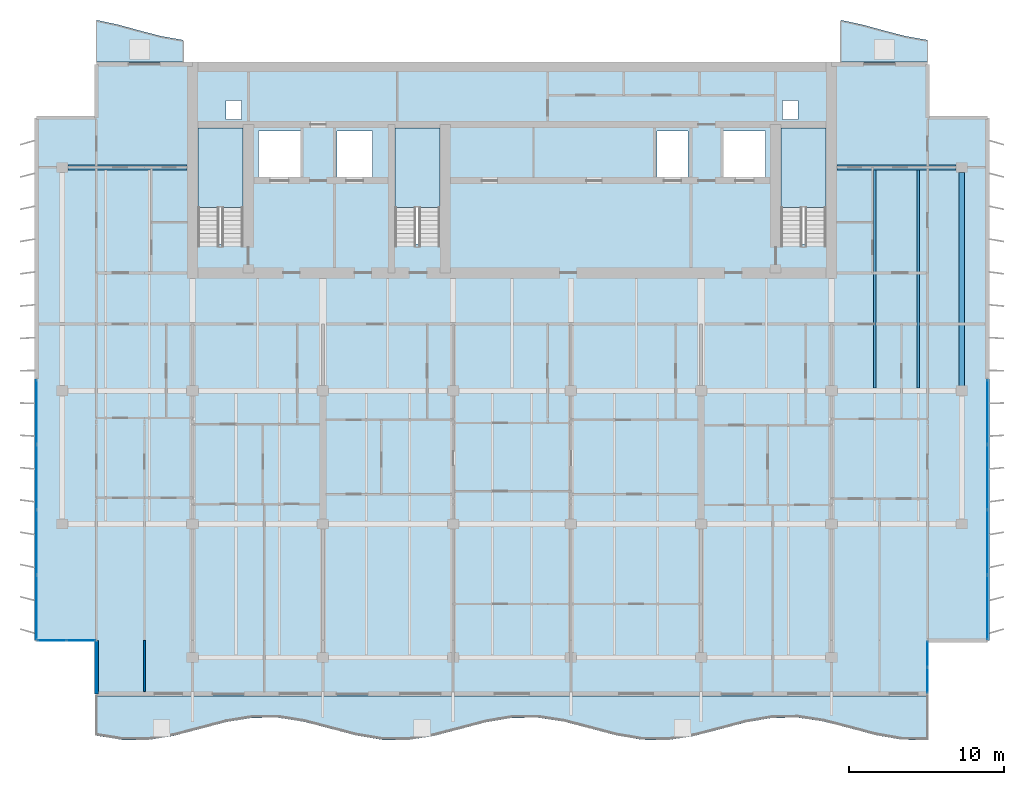
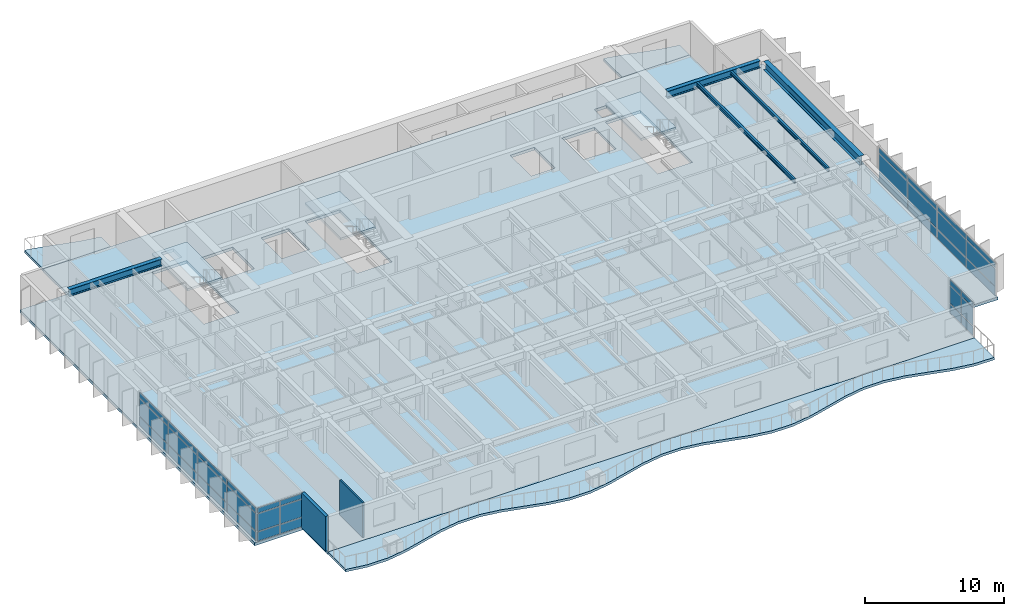
# One storey, part 5 of 17: 36 plates, 7 slabs, 5 beams, 2 walls, 7 elements without a shape of their own.
"""IFC4 building model written with IfcOpenShell, lengths in metres."""

from ifc_helpers import new_model, si_unit, direction, frame, frame_2d, origin, origin_2d, place, context, subcontext, project, spatial, polyline, rectangle, i_section, outline, extrude, material, layer, layer_set, material_profile, profile_set, type_object, element, aggregate, save


model = new_model("IFC4")

# Units and contexts
model_context = context("Model", 3, precision=1e-05, world=origin(), true_north=direction((0.0, 1.0)))
body_context = subcontext(model_context, "Body", "Model", "MODEL_VIEW")
ifc_project = project(units=[si_unit("LENGTHUNIT", "METRE"), si_unit("AREAUNIT", "SQUARE_METRE"), si_unit("VOLUMEUNIT", "CUBIC_METRE"), si_unit("PLANEANGLEUNIT", "RADIAN"), si_unit("MASSUNIT", "GRAM", prefix="KILO")], contexts=[model_context])

# Site, building, storey
site_placement = place(None, origin())
site = spatial("IfcSite", under=ifc_project, at=site_placement, CompositionType="ELEMENT")
building_placement = place(site_placement, origin())
building = spatial("IfcBuilding", under=site, at=building_placement, Name="Caelmar Bay Residences", CompositionType="ELEMENT")
storey_placement = place(building_placement, frame((0.0, 0.0, 243.0)))
storey = spatial("IfcBuildingStorey", under=building, at=storey_placement, Name="L68", CompositionType="ELEMENT", Elevation=243.0)

# Beams
ifc_material_1 = material(Name="Steel ASTM A992 Grade 50", Category="steel")
ifc_material_profile_1 = material_profile(ifc_material_1, i_section(OverallWidth=0.381103515625, OverallDepth=0.77197265625, WebThickness=0.0166015625, FlangeThickness=0.027099609375, FilletRadius=0.0166015625, at=origin_2d()), Name="W30X173")
ifc_profile_set_1 = profile_set([ifc_material_profile_1], Name="Steel ASTM A992 Grade 50")
beam_type_1 = type_object("IfcBeamType", Name="BM-GRD-W30X173", PredefinedType="BEAM", material=ifc_profile_set_1)
beam_1_placement = place(storey_placement, frame((67.89990234375, 29.715087890625, 2.6640625), z_axis=(0.0, 1.0, 0.0), x_axis=(-1.0, 0.0, 0.0)))
element("IfcBeam", 1, at=beam_1_placement, inside=storey, type_object=beam_type_1, Name="L68 North-South Girder X=67.90 (29.4-43.8)", PredefinedType="BEAM", context=body_context, shape_type="SweptSolid", body=[
    extrude(i_section(OverallWidth=0.381103515625, OverallDepth=0.77197265625, WebThickness=0.0166015625, FlangeThickness=0.027099609375, FilletRadius=0.0166015625, at=origin_2d()), origin(), (0.0, 0.0, 1.0), 13.77001953125),
])
ifc_material_profile_2 = material_profile(ifc_material_1, i_section(OverallWidth=0.1650390625, OverallDepth=0.31005859375, WebThickness=0.005859375, FlangeThickness=0.009765625, FilletRadius=0.007568359375, at=origin_2d()), Name="W12X26")
ifc_profile_set_2 = profile_set([ifc_material_profile_2], Name="Steel ASTM A992 Grade 50")
beam_type_2 = type_object("IfcBeamType", Name="BM-JST-W12X26", PredefinedType="JOIST", material=ifc_profile_set_2)
beam_2_placement = place(storey_placement, frame((65.10009765625, 29.590576171875, 2.89501953125), z_axis=(0.0, 1.0, 0.0), x_axis=(-1.0, 0.0, 0.0)))
element("IfcBeam", 2, at=beam_2_placement, inside=storey, type_object=beam_type_2, Name="L68 Composite Floor Joist 33", PredefinedType="JOIST", context=body_context, shape_type="SweptSolid", body=[
    extrude(i_section(OverallWidth=0.1650390625, OverallDepth=0.31005859375, WebThickness=0.005859375, FlangeThickness=0.009765625, FilletRadius=0.007568359375, at=origin_2d()), origin(), (0.0, 0.0, 1.0), 14.046875),
])
ifc_material_profile_3 = material_profile(ifc_material_1, i_section(OverallWidth=0.1708984375, OverallDepth=0.35595703125, WebThickness=0.007080078125, FlangeThickness=0.01171875, FilletRadius=0.007568359375, at=origin_2d()), Name="W14X34")
ifc_profile_set_3 = profile_set([ifc_material_profile_3], Name="Steel ASTM A992 Grade 50")
beam_type_3 = type_object("IfcBeamType", Name="BM-JST-W14X34", PredefinedType="JOIST", material=ifc_profile_set_3)
beam_3_placement = place(storey_placement, frame((62.300048828125, 29.590576171875, 2.8720703125), z_axis=(0.0, 1.0, 0.0), x_axis=(-1.0, 0.0, 0.0)))
element("IfcBeam", 3, at=beam_3_placement, inside=storey, type_object=beam_type_3, Name="L68 Composite Floor Joist 32", PredefinedType="JOIST", context=body_context, shape_type="SweptSolid", body=[
    extrude(i_section(OverallWidth=0.1708984375, OverallDepth=0.35595703125, WebThickness=0.007080078125, FlangeThickness=0.01171875, FilletRadius=0.007568359375, at=origin_2d()), origin(), (0.0, 0.0, 1.0), 14.046875),
])
ifc_material_profile_4 = material_profile(ifc_material_1, i_section(OverallWidth=0.324951171875, OverallDepth=0.616943359375, WebThickness=0.013916015625, FlangeThickness=0.021484375, FilletRadius=0.0126953125, at=origin_2d()), Name="W24X117")
ifc_profile_set_4 = profile_set([ifc_material_profile_4], Name="Steel ASTM A992 Grade 50")
beam_type_4 = type_object("IfcBeamType", Name="BM-SPN-W24X117", PredefinedType="SPANDREL", material=ifc_profile_set_4)
beam_4_placement = place(storey_placement, frame((10.264892578125, 43.800048828125, 2.741455078125), z_axis=(1.0, 0.0, 0.0), x_axis=(0.0, 1.0, 0.0)))
element("IfcBeam", 4, at=beam_4_placement, inside=storey, type_object=beam_type_4, Name="L68 North-West Wing Core Tie Girder", PredefinedType="SPANDREL", context=body_context, shape_type="SweptSolid", body=[
    extrude(i_section(OverallWidth=0.324951171875, OverallDepth=0.616943359375, WebThickness=0.013916015625, FlangeThickness=0.021484375, FilletRadius=0.0126953125, at=origin_2d()), origin(), (0.0, 0.0, 1.0), 7.68505859375),
])
beam_5_placement = place(storey_placement, frame((59.85009765625, 43.800048828125, 2.741455078125), z_axis=(1.0, 0.0, 0.0), x_axis=(0.0, 1.0, 0.0)))
element("IfcBeam", 5, at=beam_5_placement, inside=storey, type_object=beam_type_4, Name="L68 North-East Wing Core Tie Girder", PredefinedType="SPANDREL", context=body_context, shape_type="SweptSolid", body=[
    extrude(i_section(OverallWidth=0.324951171875, OverallDepth=0.616943359375, WebThickness=0.013916015625, FlangeThickness=0.021484375, FilletRadius=0.0126953125, at=origin_2d()), origin(), (0.0, 0.0, 1.0), 7.684814453125),
])

# Curtain wall, plates
ifc_material_2 = material(Name="Anodised bronze aluminium 6063-T6 and laminated glass", Category="aluminium")
ifc_layer_1 = layer(ifc_material_2, 0.179931640625)
ifc_layer_set_1 = layer_set([ifc_layer_1], Name="Anodised bronze aluminium 6063-T6 and laminated glass")
curtain_wall_type_1 = type_object("IfcCurtainWallType", Name="CW6-NTC", PredefinedType="NOTDEFINED", material=ifc_layer_set_1)
curtain_wall_1_placement = place(storey_placement, origin())
curtain_wall_1 = element("IfcCurtainWall", 6, at=curtain_wall_1_placement, inside=storey, type_object=curtain_wall_type_1, Name="CW6 curtain wall L68", PredefinedType="NOTDEFINED")
ifc_material_3 = material(Name="Bronze-tinted laminated low-E hurricane glass 28 mm", Category="glass")
ifc_layer_2 = layer(ifc_material_3, 0.028076171875)
ifc_layer_set_2 = layer_set([ifc_layer_2], Name="Bronze-tinted laminated low-E hurricane glass 28 mm")
plate_type_1 = type_object("IfcPlateType", Name="CWP-GLZ28", PredefinedType="CURTAIN_PANEL", material=ifc_layer_set_2)
plate_1_placement = place(storey_placement, frame((9.232421875, 13.300048828125, 0.080078125), z_axis=(0.0, 0.0, 1.0), x_axis=(1.0, 0.0, 0.0)))
plate_1 = element("IfcPlate", 7, at=plate_1_placement, type_object=plate_type_1, Name="CW6 panel 1.1", PredefinedType="CURTAIN_PANEL", context=body_context, shape_type="SweptSolid", body=[
    extrude(rectangle(XDim=1.804931640625, YDim=0.028076171875, at=origin_2d()), origin(), (0.0, 0.0, 1.0), 0.780029296875),
])
plate_2_placement = place(storey_placement, frame((9.232421875, 13.300048828125, 0.93994140625), z_axis=(0.0, 0.0, 1.0), x_axis=(1.0, 0.0, 0.0)))
plate_2 = element("IfcPlate", 8, at=plate_2_placement, type_object=plate_type_1, Name="CW6 panel 1.2", PredefinedType="CURTAIN_PANEL", context=body_context, shape_type="SweptSolid", body=[
    extrude(rectangle(XDim=1.804931640625, YDim=0.028076171875, at=origin_2d()), origin(), (0.0, 0.0, 1.0), 1.52001953125),
])
plate_3_placement = place(storey_placement, frame((9.232421875, 13.300048828125, 2.5400390625), z_axis=(0.0, 0.0, 1.0), x_axis=(1.0, 0.0, 0.0)))
plate_3 = element("IfcPlate", 9, at=plate_3_placement, type_object=plate_type_1, Name="CW6 panel 1.3", PredefinedType="CURTAIN_PANEL", context=body_context, shape_type="SweptSolid", body=[
    extrude(rectangle(XDim=1.804931640625, YDim=0.028076171875, at=origin_2d()), origin(), (0.0, 0.0, 1.0), 0.429931640625),
])
plate_4_placement = place(storey_placement, frame((11.117431640625, 13.300048828125, 0.080078125), z_axis=(0.0, 0.0, 1.0), x_axis=(1.0, 0.0, 0.0)))
plate_4 = element("IfcPlate", 10, at=plate_4_placement, type_object=plate_type_1, Name="CW6 panel 2.1", PredefinedType="CURTAIN_PANEL", context=body_context, shape_type="SweptSolid", body=[
    extrude(rectangle(XDim=1.804931640625, YDim=0.028076171875, at=origin_2d()), origin(), (0.0, 0.0, 1.0), 0.780029296875),
])
plate_5_placement = place(storey_placement, frame((11.117431640625, 13.300048828125, 0.93994140625), z_axis=(0.0, 0.0, 1.0), x_axis=(1.0, 0.0, 0.0)))
plate_5 = element("IfcPlate", 11, at=plate_5_placement, type_object=plate_type_1, Name="CW6 panel 2.2", PredefinedType="CURTAIN_PANEL", context=body_context, shape_type="SweptSolid", body=[
    extrude(rectangle(XDim=1.804931640625, YDim=0.028076171875, at=origin_2d()), origin(), (0.0, 0.0, 1.0), 1.52001953125),
])
plate_6_placement = place(storey_placement, frame((11.117431640625, 13.300048828125, 2.5400390625), z_axis=(0.0, 0.0, 1.0), x_axis=(1.0, 0.0, 0.0)))
plate_6 = element("IfcPlate", 12, at=plate_6_placement, type_object=plate_type_1, Name="CW6 panel 2.3", PredefinedType="CURTAIN_PANEL", context=body_context, shape_type="SweptSolid", body=[
    extrude(rectangle(XDim=1.804931640625, YDim=0.028076171875, at=origin_2d()), origin(), (0.0, 0.0, 1.0), 0.429931640625),
])
aggregate(curtain_wall_1, [plate_1, plate_2, plate_3, plate_4, plate_5, plate_6])

curtain_wall_2_placement = place(storey_placement, origin())
curtain_wall_2 = element("IfcCurtainWall", 13, at=curtain_wall_2_placement, inside=storey, type_object=curtain_wall_type_1, Name="CW6 curtain wall L68", PredefinedType="NOTDEFINED")
plate_7_placement = place(storey_placement, frame((65.699951171875, 10.732421875, 0.080078125), z_axis=(0.0, 0.0, 1.0), x_axis=(0.0, 1.0, 0.0)))
plate_7 = element("IfcPlate", 14, at=plate_7_placement, type_object=plate_type_1, Name="CW6 panel 1.1", PredefinedType="CURTAIN_PANEL", context=body_context, shape_type="SweptSolid", body=[
    extrude(rectangle(XDim=1.60498046875, YDim=0.028076171875, at=origin_2d()), origin(), (0.0, 0.0, 1.0), 0.780029296875),
])
plate_8_placement = place(storey_placement, frame((65.699951171875, 10.732421875, 0.93994140625), z_axis=(0.0, 0.0, 1.0), x_axis=(0.0, 1.0, 0.0)))
plate_8 = element("IfcPlate", 15, at=plate_8_placement, type_object=plate_type_1, Name="CW6 panel 1.2", PredefinedType="CURTAIN_PANEL", context=body_context, shape_type="SweptSolid", body=[
    extrude(rectangle(XDim=1.60498046875, YDim=0.028076171875, at=origin_2d()), origin(), (0.0, 0.0, 1.0), 1.52001953125),
])
plate_9_placement = place(storey_placement, frame((65.699951171875, 10.732421875, 2.5400390625), z_axis=(0.0, 0.0, 1.0), x_axis=(0.0, 1.0, 0.0)))
plate_9 = element("IfcPlate", 16, at=plate_9_placement, type_object=plate_type_1, Name="CW6 panel 1.3", PredefinedType="CURTAIN_PANEL", context=body_context, shape_type="SweptSolid", body=[
    extrude(rectangle(XDim=1.60498046875, YDim=0.028076171875, at=origin_2d()), origin(), (0.0, 0.0, 1.0), 0.429931640625),
])
plate_10_placement = place(storey_placement, frame((65.699951171875, 12.41748046875, 0.080078125), z_axis=(0.0, 0.0, 1.0), x_axis=(0.0, 1.0, 0.0)))
plate_10 = element("IfcPlate", 17, at=plate_10_placement, type_object=plate_type_1, Name="CW6 panel 2.1", PredefinedType="CURTAIN_PANEL", context=body_context, shape_type="SweptSolid", body=[
    extrude(rectangle(XDim=1.60498046875, YDim=0.028076171875, at=origin_2d()), origin(), (0.0, 0.0, 1.0), 0.780029296875),
])
plate_11_placement = place(storey_placement, frame((65.699951171875, 12.41748046875, 0.93994140625), z_axis=(0.0, 0.0, 1.0), x_axis=(0.0, 1.0, 0.0)))
plate_11 = element("IfcPlate", 18, at=plate_11_placement, type_object=plate_type_1, Name="CW6 panel 2.2", PredefinedType="CURTAIN_PANEL", context=body_context, shape_type="SweptSolid", body=[
    extrude(rectangle(XDim=1.60498046875, YDim=0.028076171875, at=origin_2d()), origin(), (0.0, 0.0, 1.0), 1.52001953125),
])
plate_12_placement = place(storey_placement, frame((65.699951171875, 12.41748046875, 2.5400390625), z_axis=(0.0, 0.0, 1.0), x_axis=(0.0, 1.0, 0.0)))
plate_12 = element("IfcPlate", 19, at=plate_12_placement, type_object=plate_type_1, Name="CW6 panel 2.3", PredefinedType="CURTAIN_PANEL", context=body_context, shape_type="SweptSolid", body=[
    extrude(rectangle(XDim=1.60498046875, YDim=0.028076171875, at=origin_2d()), origin(), (0.0, 0.0, 1.0), 0.429931640625),
])
aggregate(curtain_wall_2, [plate_7, plate_8, plate_9, plate_10, plate_11, plate_12])

ifc_layer_3 = layer(ifc_material_2, 0.179931640625)
ifc_layer_set_3 = layer_set([ifc_layer_3], Name="Anodised bronze aluminium 6063-T6 and laminated glass")
curtain_wall_type_2 = type_object("IfcCurtainWallType", Name="CW5-Z4", PredefinedType="NOTDEFINED", material=ifc_layer_set_3)
curtain_wall_3_placement = place(storey_placement, origin())
curtain_wall_3 = element("IfcCurtainWall", 20, at=curtain_wall_3_placement, inside=storey, type_object=curtain_wall_type_2, Name="CW5 curtain wall L68", PredefinedType="NOTDEFINED")
ifc_material_4 = material(Name="Bronze-tinted laminated low-E hurricane glass 32 mm", Category="glass")
ifc_layer_4 = layer(ifc_material_4, 0.031982421875)
ifc_layer_set_4 = layer_set([ifc_layer_4], Name="Bronze-tinted laminated low-E hurricane glass 32 mm")
plate_type_2 = type_object("IfcPlateType", Name="CWP-GLZ32", PredefinedType="CURTAIN_PANEL", material=ifc_layer_set_4)
plate_13_placement = place(storey_placement, frame((8.25, 15.42626953125, 0.080078125), z_axis=(0.0, 0.0, 1.0), x_axis=(0.0, 1.0, 0.0)))
plate_13 = element("IfcPlate", 21, at=plate_13_placement, type_object=plate_type_2, Name="CW5 panel 1.1", PredefinedType="CURTAIN_PANEL", context=body_context, shape_type="SweptSolid", body=[
    extrude(rectangle(XDim=4.092529296875, YDim=0.031982421875, at=origin_2d()), origin(), (0.0, 0.0, 1.0), 0.780029296875),
])
plate_14_placement = place(storey_placement, frame((8.25, 15.42626953125, 0.93994140625), z_axis=(0.0, 0.0, 1.0), x_axis=(0.0, 1.0, 0.0)))
plate_14 = element("IfcPlate", 22, at=plate_14_placement, type_object=plate_type_2, Name="CW5 panel 1.2", PredefinedType="CURTAIN_PANEL", context=body_context, shape_type="SweptSolid", body=[
    extrude(rectangle(XDim=4.092529296875, YDim=0.031982421875, at=origin_2d()), origin(), (0.0, 0.0, 1.0), 1.52001953125),
])
plate_15_placement = place(storey_placement, frame((8.25, 15.42626953125, 2.5400390625), z_axis=(0.0, 0.0, 1.0), x_axis=(0.0, 1.0, 0.0)))
plate_15 = element("IfcPlate", 23, at=plate_15_placement, type_object=plate_type_2, Name="CW5 panel 1.3", PredefinedType="CURTAIN_PANEL", context=body_context, shape_type="SweptSolid", body=[
    extrude(rectangle(XDim=4.092529296875, YDim=0.031982421875, at=origin_2d()), origin(), (0.0, 0.0, 1.0), 0.429931640625),
])
plate_16_placement = place(storey_placement, frame((8.25, 19.61865234375, 0.080078125), z_axis=(0.0, 0.0, 1.0), x_axis=(0.0, 1.0, 0.0)))
plate_16 = element("IfcPlate", 24, at=plate_16_placement, type_object=plate_type_2, Name="CW5 panel 2.1", PredefinedType="CURTAIN_PANEL", context=body_context, shape_type="SweptSolid", body=[
    extrude(rectangle(XDim=4.132568359375, YDim=0.031982421875, at=origin_2d()), origin(), (0.0, 0.0, 1.0), 0.780029296875),
])
plate_17_placement = place(storey_placement, frame((8.25, 19.61865234375, 0.93994140625), z_axis=(0.0, 0.0, 1.0), x_axis=(0.0, 1.0, 0.0)))
plate_17 = element("IfcPlate", 25, at=plate_17_placement, type_object=plate_type_2, Name="CW5 panel 2.2", PredefinedType="CURTAIN_PANEL", context=body_context, shape_type="SweptSolid", body=[
    extrude(rectangle(XDim=4.132568359375, YDim=0.031982421875, at=origin_2d()), origin(), (0.0, 0.0, 1.0), 1.52001953125),
])
plate_18_placement = place(storey_placement, frame((8.25, 19.61865234375, 2.5400390625), z_axis=(0.0, 0.0, 1.0), x_axis=(0.0, 1.0, 0.0)))
plate_18 = element("IfcPlate", 26, at=plate_18_placement, type_object=plate_type_2, Name="CW5 panel 2.3", PredefinedType="CURTAIN_PANEL", context=body_context, shape_type="SweptSolid", body=[
    extrude(rectangle(XDim=4.132568359375, YDim=0.031982421875, at=origin_2d()), origin(), (0.0, 0.0, 1.0), 0.429931640625),
])
plate_19_placement = place(storey_placement, frame((8.25, 23.831298828125, 0.080078125), z_axis=(0.0, 0.0, 1.0), x_axis=(0.0, 1.0, 0.0)))
plate_19 = element("IfcPlate", 27, at=plate_19_placement, type_object=plate_type_2, Name="CW5 panel 3.1", PredefinedType="CURTAIN_PANEL", context=body_context, shape_type="SweptSolid", body=[
    extrude(rectangle(XDim=4.132568359375, YDim=0.031982421875, at=origin_2d()), origin(), (0.0, 0.0, 1.0), 0.780029296875),
])
plate_20_placement = place(storey_placement, frame((8.25, 23.831298828125, 0.93994140625), z_axis=(0.0, 0.0, 1.0), x_axis=(0.0, 1.0, 0.0)))
plate_20 = element("IfcPlate", 28, at=plate_20_placement, type_object=plate_type_2, Name="CW5 panel 3.2", PredefinedType="CURTAIN_PANEL", context=body_context, shape_type="SweptSolid", body=[
    extrude(rectangle(XDim=4.132568359375, YDim=0.031982421875, at=origin_2d()), origin(), (0.0, 0.0, 1.0), 1.52001953125),
])
plate_21_placement = place(storey_placement, frame((8.25, 23.831298828125, 2.5400390625), z_axis=(0.0, 0.0, 1.0), x_axis=(0.0, 1.0, 0.0)))
plate_21 = element("IfcPlate", 29, at=plate_21_placement, type_object=plate_type_2, Name="CW5 panel 3.3", PredefinedType="CURTAIN_PANEL", context=body_context, shape_type="SweptSolid", body=[
    extrude(rectangle(XDim=4.132568359375, YDim=0.031982421875, at=origin_2d()), origin(), (0.0, 0.0, 1.0), 0.429931640625),
])
plate_22_placement = place(storey_placement, frame((8.25, 28.023681640625, 0.080078125), z_axis=(0.0, 0.0, 1.0), x_axis=(0.0, 1.0, 0.0)))
plate_22 = element("IfcPlate", 30, at=plate_22_placement, type_object=plate_type_2, Name="CW5 panel 4.1", PredefinedType="CURTAIN_PANEL", context=body_context, shape_type="SweptSolid", body=[
    extrude(rectangle(XDim=4.092529296875, YDim=0.031982421875, at=origin_2d()), origin(), (0.0, 0.0, 1.0), 0.780029296875),
])
plate_23_placement = place(storey_placement, frame((8.25, 28.023681640625, 0.93994140625), z_axis=(0.0, 0.0, 1.0), x_axis=(0.0, 1.0, 0.0)))
plate_23 = element("IfcPlate", 31, at=plate_23_placement, type_object=plate_type_2, Name="CW5 panel 4.2", PredefinedType="CURTAIN_PANEL", context=body_context, shape_type="SweptSolid", body=[
    extrude(rectangle(XDim=4.092529296875, YDim=0.031982421875, at=origin_2d()), origin(), (0.0, 0.0, 1.0), 1.52001953125),
])
plate_24_placement = place(storey_placement, frame((8.25, 28.023681640625, 2.5400390625), z_axis=(0.0, 0.0, 1.0), x_axis=(0.0, 1.0, 0.0)))
plate_24 = element("IfcPlate", 32, at=plate_24_placement, type_object=plate_type_2, Name="CW5 panel 4.3", PredefinedType="CURTAIN_PANEL", context=body_context, shape_type="SweptSolid", body=[
    extrude(rectangle(XDim=4.092529296875, YDim=0.031982421875, at=origin_2d()), origin(), (0.0, 0.0, 1.0), 0.429931640625),
])
aggregate(curtain_wall_3, [plate_13, plate_14, plate_15, plate_16, plate_17, plate_18, plate_19, plate_20, plate_21, plate_22, plate_23, plate_24])

curtain_wall_4_placement = place(storey_placement, origin())
curtain_wall_4 = element("IfcCurtainWall", 33, at=curtain_wall_4_placement, inside=storey, type_object=curtain_wall_type_2, Name="CW5 curtain wall L68", PredefinedType="NOTDEFINED")
plate_25_placement = place(storey_placement, frame((69.550048828125, 28.023681640625, 0.080078125), z_axis=(0.0, 0.0, 1.0), x_axis=(0.0, -1.0, 0.0)))
plate_25 = element("IfcPlate", 34, at=plate_25_placement, type_object=plate_type_2, Name="CW5 panel 1.1", PredefinedType="CURTAIN_PANEL", context=body_context, shape_type="SweptSolid", body=[
    extrude(rectangle(XDim=4.092529296875, YDim=0.031982421875, at=origin_2d()), origin(), (0.0, 0.0, 1.0), 0.780029296875),
])
plate_26_placement = place(storey_placement, frame((69.550048828125, 28.023681640625, 0.93994140625), z_axis=(0.0, 0.0, 1.0), x_axis=(0.0, -1.0, 0.0)))
plate_26 = element("IfcPlate", 35, at=plate_26_placement, type_object=plate_type_2, Name="CW5 panel 1.2", PredefinedType="CURTAIN_PANEL", context=body_context, shape_type="SweptSolid", body=[
    extrude(rectangle(XDim=4.092529296875, YDim=0.031982421875, at=origin_2d()), origin(), (0.0, 0.0, 1.0), 1.52001953125),
])
plate_27_placement = place(storey_placement, frame((69.550048828125, 28.023681640625, 2.5400390625), z_axis=(0.0, 0.0, 1.0), x_axis=(0.0, -1.0, 0.0)))
plate_27 = element("IfcPlate", 36, at=plate_27_placement, type_object=plate_type_2, Name="CW5 panel 1.3", PredefinedType="CURTAIN_PANEL", context=body_context, shape_type="SweptSolid", body=[
    extrude(rectangle(XDim=4.092529296875, YDim=0.031982421875, at=origin_2d()), origin(), (0.0, 0.0, 1.0), 0.429931640625),
])
plate_28_placement = place(storey_placement, frame((69.550048828125, 23.831298828125, 0.080078125), z_axis=(0.0, 0.0, 1.0), x_axis=(0.0, -1.0, 0.0)))
plate_28 = element("IfcPlate", 37, at=plate_28_placement, type_object=plate_type_2, Name="CW5 panel 2.1", PredefinedType="CURTAIN_PANEL", context=body_context, shape_type="SweptSolid", body=[
    extrude(rectangle(XDim=4.132568359375, YDim=0.031982421875, at=origin_2d()), origin(), (0.0, 0.0, 1.0), 0.780029296875),
])
plate_29_placement = place(storey_placement, frame((69.550048828125, 23.831298828125, 0.93994140625), z_axis=(0.0, 0.0, 1.0), x_axis=(0.0, -1.0, 0.0)))
plate_29 = element("IfcPlate", 38, at=plate_29_placement, type_object=plate_type_2, Name="CW5 panel 2.2", PredefinedType="CURTAIN_PANEL", context=body_context, shape_type="SweptSolid", body=[
    extrude(rectangle(XDim=4.132568359375, YDim=0.031982421875, at=origin_2d()), origin(), (0.0, 0.0, 1.0), 1.52001953125),
])
plate_30_placement = place(storey_placement, frame((69.550048828125, 23.831298828125, 2.5400390625), z_axis=(0.0, 0.0, 1.0), x_axis=(0.0, -1.0, 0.0)))
plate_30 = element("IfcPlate", 39, at=plate_30_placement, type_object=plate_type_2, Name="CW5 panel 2.3", PredefinedType="CURTAIN_PANEL", context=body_context, shape_type="SweptSolid", body=[
    extrude(rectangle(XDim=4.132568359375, YDim=0.031982421875, at=origin_2d()), origin(), (0.0, 0.0, 1.0), 0.429931640625),
])
plate_31_placement = place(storey_placement, frame((69.550048828125, 19.61865234375, 0.080078125), z_axis=(0.0, 0.0, 1.0), x_axis=(0.0, -1.0, 0.0)))
plate_31 = element("IfcPlate", 40, at=plate_31_placement, type_object=plate_type_2, Name="CW5 panel 3.1", PredefinedType="CURTAIN_PANEL", context=body_context, shape_type="SweptSolid", body=[
    extrude(rectangle(XDim=4.132568359375, YDim=0.031982421875, at=origin_2d()), origin(), (0.0, 0.0, 1.0), 0.780029296875),
])
plate_32_placement = place(storey_placement, frame((69.550048828125, 19.61865234375, 0.93994140625), z_axis=(0.0, 0.0, 1.0), x_axis=(0.0, -1.0, 0.0)))
plate_32 = element("IfcPlate", 41, at=plate_32_placement, type_object=plate_type_2, Name="CW5 panel 3.2", PredefinedType="CURTAIN_PANEL", context=body_context, shape_type="SweptSolid", body=[
    extrude(rectangle(XDim=4.132568359375, YDim=0.031982421875, at=origin_2d()), origin(), (0.0, 0.0, 1.0), 1.52001953125),
])
plate_33_placement = place(storey_placement, frame((69.550048828125, 19.61865234375, 2.5400390625), z_axis=(0.0, 0.0, 1.0), x_axis=(0.0, -1.0, 0.0)))
plate_33 = element("IfcPlate", 42, at=plate_33_placement, type_object=plate_type_2, Name="CW5 panel 3.3", PredefinedType="CURTAIN_PANEL", context=body_context, shape_type="SweptSolid", body=[
    extrude(rectangle(XDim=4.132568359375, YDim=0.031982421875, at=origin_2d()), origin(), (0.0, 0.0, 1.0), 0.429931640625),
])
plate_34_placement = place(storey_placement, frame((69.550048828125, 15.42626953125, 0.080078125), z_axis=(0.0, 0.0, 1.0), x_axis=(0.0, -1.0, 0.0)))
plate_34 = element("IfcPlate", 43, at=plate_34_placement, type_object=plate_type_2, Name="CW5 panel 4.1", PredefinedType="CURTAIN_PANEL", context=body_context, shape_type="SweptSolid", body=[
    extrude(rectangle(XDim=4.092529296875, YDim=0.031982421875, at=origin_2d()), origin(), (0.0, 0.0, 1.0), 0.780029296875),
])
plate_35_placement = place(storey_placement, frame((69.550048828125, 15.42626953125, 0.93994140625), z_axis=(0.0, 0.0, 1.0), x_axis=(0.0, -1.0, 0.0)))
plate_35 = element("IfcPlate", 44, at=plate_35_placement, type_object=plate_type_2, Name="CW5 panel 4.2", PredefinedType="CURTAIN_PANEL", context=body_context, shape_type="SweptSolid", body=[
    extrude(rectangle(XDim=4.092529296875, YDim=0.031982421875, at=origin_2d()), origin(), (0.0, 0.0, 1.0), 1.52001953125),
])
plate_36_placement = place(storey_placement, frame((69.550048828125, 15.42626953125, 2.5400390625), z_axis=(0.0, 0.0, 1.0), x_axis=(0.0, -1.0, 0.0)))
plate_36 = element("IfcPlate", 45, at=plate_36_placement, type_object=plate_type_2, Name="CW5 panel 4.3", PredefinedType="CURTAIN_PANEL", context=body_context, shape_type="SweptSolid", body=[
    extrude(rectangle(XDim=4.092529296875, YDim=0.031982421875, at=origin_2d()), origin(), (0.0, 0.0, 1.0), 0.429931640625),
])
aggregate(curtain_wall_4, [plate_25, plate_26, plate_27, plate_28, plate_29, plate_30, plate_31, plate_32, plate_33, plate_34, plate_35, plate_36])

# Slabs
ifc_material_5 = material(Name="Concrete f'c 40 MPa (6,000 psi)", Category="concrete")
ifc_layer_5 = layer(ifc_material_5, 0.219970703125)
ifc_layer_set_5 = layer_set([ifc_layer_5], Name="Concrete f'c 40 MPa (6,000 psi)")
slab_type_1 = type_object("IfcSlabType", Name="SLB-BAL-220", PredefinedType="FLOOR", material=ifc_layer_set_5)
slab_1_placement = place(storey_placement, frame((0.0, 0.0, -0.219970703125)))
element("IfcSlab", 46, at=slab_1_placement, inside=storey, type_object=slab_type_1, Name="L68 Sinusoidal Tree-Balcony Slab south", PredefinedType="FLOOR", context=body_context, shape_type="SweptSolid", body=[
    extrude(outline(polyline([(12.10009765625, 7.1591796875), (13.77490234375, 6.88720703125), (15.449951171875, 6.8857421875), (17.125, 7.15576171875), (18.800048828125, 7.594482421875), (20.47509765625, 8.03515625), (22.14990234375, 8.310546875), (23.824951171875, 8.31640625), (25.5, 8.0498046875), (27.175048828125, 7.612548828125), (28.85009765625, 7.170654296875), (30.52490234375, 6.8916015625), (32.199951171875, 6.881591796875), (33.875, 7.14453125), (35.550048828125, 7.580322265625), (37.22509765625, 8.023681640625), (38.89990234375, 8.305908203125), (40.574951171875, 8.3203125), (42.25, 8.06103515625), (43.925048828125, 7.626708984375), (45.60009765625, 7.18212890625), (47.27490234375, 6.896484375), (48.949951171875, 6.877685546875), (50.625, 7.133544921875), (52.300048828125, 7.56640625), (53.97509765625, 8.011962890625), (55.64990234375, 8.30126953125), (57.324951171875, 8.32421875), (59.0, 8.072021484375), (60.675048828125, 7.640625), (62.35009765625, 7.19384765625), (64.02490234375, 6.9013671875), (65.699951171875, 6.8740234375), (65.699951171875, 9.699951171875), (12.10009765625, 9.699951171875), (12.10009765625, 7.1591796875)])), origin(), (0.0, 0.0, 1.0), 0.219970703125),
])
slab_2_placement = place(storey_placement, frame((0.0, 0.0, -0.219970703125)))
element("IfcSlab", 47, at=slab_2_placement, inside=storey, type_object=slab_type_1, Name="L68 Sinusoidal Tree-Balcony Slab north_west", PredefinedType="FLOOR", context=body_context, shape_type="SweptSolid", body=[
    extrude(outline(polyline([(12.10009765625, 50.60009765625), (17.699951171875, 50.60009765625), (17.699951171875, 52.014892578125), (16.300048828125, 52.25927734375), (14.89990234375, 52.62158203125), (13.5, 53.005126953125), (12.10009765625, 53.306884765625), (12.10009765625, 50.60009765625)])), origin(), (0.0, 0.0, 1.0), 0.219970703125),
])
slab_3_placement = place(storey_placement, frame((0.0, 0.0, -0.219970703125)))
element("IfcSlab", 48, at=slab_3_placement, inside=storey, type_object=slab_type_1, Name="L68 Sinusoidal Tree-Balcony Slab north_east", PredefinedType="FLOOR", context=body_context, shape_type="SweptSolid", body=[
    extrude(outline(polyline([(60.10009765625, 50.60009765625), (65.699951171875, 50.60009765625), (65.699951171875, 52.014892578125), (64.300048828125, 52.25927734375), (62.89990234375, 52.62158203125), (61.5, 53.005126953125), (60.10009765625, 53.306884765625), (60.10009765625, 50.60009765625)])), origin(), (0.0, 0.0, 1.0), 0.219970703125),
])

# Stair, slab
stair_type = type_object("IfcStairType", Name="ST-TYP-165", PredefinedType="HALF_TURN_STAIR", material=ifc_material_5)
stair_1_placement = place(storey_placement, origin())
stair_1 = element("IfcStair", 49, at=stair_1_placement, inside=storey, type_object=stair_type, Name="L68 West Smokeproof Exit Stair ST1", PredefinedType="HALF_TURN_STAIR")
ifc_layer_6 = layer(ifc_material_5, 0.199951171875)
ifc_layer_set_6 = layer_set([ifc_layer_6], Name="Concrete f'c 40 MPa (6,000 psi)")
slab_type_2 = type_object("IfcSlabType", Name="SLB-LND-200", PredefinedType="LANDING", material=ifc_layer_set_6)
slab_4_placement = place(storey_placement, frame((0.0, 0.0, 1.449951171875)))
slab_4 = element("IfcSlab", 50, at=slab_4_placement, type_object=slab_type_2, Name="ST1 landing 1", PredefinedType="LANDING", context=body_context, shape_type="SweptSolid", body=[
    extrude(outline(polyline([(21.550048828125, 41.219970703125), (21.550048828125, 46.35009765625), (18.64990234375, 46.35009765625), (18.64990234375, 41.219970703125), (21.550048828125, 41.219970703125)])), origin(), (0.0, 0.0, 1.0), 0.199951171875),
])
aggregate(stair_1, [slab_4])

stair_2_placement = place(storey_placement, origin())
stair_2 = element("IfcStair", 51, at=stair_2_placement, inside=storey, type_object=stair_type, Name="L68 East Smokeproof Exit Stair ST2", PredefinedType="HALF_TURN_STAIR")
slab_5_placement = place(storey_placement, frame((0.0, 0.0, 1.449951171875)))
slab_5 = element("IfcSlab", 52, at=slab_5_placement, type_object=slab_type_2, Name="ST2 landing 1", PredefinedType="LANDING", context=body_context, shape_type="SweptSolid", body=[
    extrude(outline(polyline([(59.14990234375, 41.219970703125), (59.14990234375, 46.35009765625), (56.25, 46.35009765625), (56.25, 41.219970703125), (59.14990234375, 41.219970703125)])), origin(), (0.0, 0.0, 1.0), 0.199951171875),
])
aggregate(stair_2, [slab_5])

stair_3_placement = place(storey_placement, origin())
stair_3 = element("IfcStair", 53, at=stair_3_placement, inside=storey, type_object=stair_type, Name="L68 Central Smokeproof Exit Stair ST3", PredefinedType="HALF_TURN_STAIR")
slab_6_placement = place(storey_placement, frame((0.0, 0.0, 1.449951171875)))
slab_6 = element("IfcSlab", 54, at=slab_6_placement, type_object=slab_type_2, Name="ST3 landing 1", PredefinedType="LANDING", context=body_context, shape_type="SweptSolid", body=[
    extrude(outline(polyline([(34.25, 41.219970703125), (34.25, 46.35009765625), (31.35009765625, 46.35009765625), (31.35009765625, 41.219970703125), (34.25, 41.219970703125)])), origin(), (0.0, 0.0, 1.0), 0.199951171875),
])
aggregate(stair_3, [slab_6])

# Slab
ifc_layer_7 = layer(ifc_material_5, 0.25)
ifc_layer_set_7 = layer_set([ifc_layer_7], Name="Concrete f'c 40 MPa (6,000 psi)")
slab_type_3 = type_object("IfcSlabType", Name="SLB-RES-250", PredefinedType="FLOOR", material=ifc_layer_set_7)
slab_7_placement = place(storey_placement, frame((0.0, 0.0, -0.25)))
element("IfcSlab", 55, at=slab_7_placement, inside=storey, type_object=slab_type_3, Name="L68 Structural Floor Slab", PredefinedType="FLOOR", context=body_context, shape_type="SweptSolid", body=[
    extrude(outline(polyline([(12.10009765625, 9.699951171875), (65.699951171875, 9.699951171875), (65.699951171875, 13.300048828125), (69.699951171875, 13.300048828125), (69.699951171875, 47.0), (65.699951171875, 47.0), (65.699951171875, 50.60009765625), (12.10009765625, 50.60009765625), (12.10009765625, 47.0), (8.10009765625, 47.0), (8.10009765625, 13.300048828125), (12.10009765625, 13.300048828125), (12.10009765625, 9.699951171875)]), holes=[polyline([(18.64990234375, 38.85009765625), (21.550048828125, 38.85009765625), (21.550048828125, 46.35009765625), (18.64990234375, 46.35009765625), (18.64990234375, 38.85009765625)]), polyline([(56.25, 38.85009765625), (59.14990234375, 38.85009765625), (59.14990234375, 46.35009765625), (56.25, 46.35009765625), (56.25, 38.85009765625)]), polyline([(31.35009765625, 38.85009765625), (34.25, 38.85009765625), (34.25, 46.35009765625), (31.35009765625, 46.35009765625), (31.35009765625, 38.85009765625)]), polyline([(22.550048828125, 43.050048828125), (25.25, 43.050048828125), (25.25, 46.14990234375), (22.550048828125, 46.14990234375), (22.550048828125, 43.050048828125)]), polyline([(52.550048828125, 43.050048828125), (55.25, 43.050048828125), (55.25, 46.14990234375), (52.550048828125, 46.14990234375), (52.550048828125, 43.050048828125)]), polyline([(48.25, 43.14990234375), (50.25, 43.14990234375), (50.25, 46.14990234375), (48.25, 46.14990234375), (48.25, 43.14990234375)]), polyline([(27.60009765625, 43.14990234375), (29.89990234375, 43.14990234375), (29.89990234375, 46.14990234375), (27.60009765625, 46.14990234375), (27.60009765625, 43.14990234375)]), polyline([(20.449951171875, 46.89990234375), (21.449951171875, 46.89990234375), (21.449951171875, 48.10009765625), (20.449951171875, 48.10009765625), (20.449951171875, 46.89990234375)]), polyline([(56.35009765625, 46.89990234375), (57.35009765625, 46.89990234375), (57.35009765625, 48.10009765625), (56.35009765625, 48.10009765625), (56.35009765625, 46.89990234375)])]), origin(), (0.0, 0.0, 1.0), 0.25),
])

# Walls
ifc_material_6 = material(Name="Precast concrete f'c 40 MPa (6,000 psi)", Category="concrete")
ifc_layer_8 = layer(ifc_material_6, 0.25)
ifc_layer_set_8 = layer_set([ifc_layer_8], Name="Precast concrete f'c 40 MPa (6,000 psi)")
wall_type_1 = type_object("IfcWallType", Name="W-EXT-250", PredefinedType="ELEMENTEDWALL", material=ifc_layer_set_8)
wall_1_placement = place(storey_placement, frame((12.10009765625, 13.300048828125, 0.0), z_axis=(0.0, 0.0, 1.0), x_axis=(0.0, -1.0, 0.0)))
element("IfcWall", 56, at=wall_1_placement, inside=storey, type_object=wall_type_1, Name="L68 SW Notch Return Wall", PredefinedType="ELEMENTEDWALL", context=body_context, shape_type="SweptSolid", body=[
    extrude(rectangle(XDim=3.449951171875, YDim=0.25, at=frame_2d((1.72509765625, 0.0))), origin(), (0.0, 0.0, 1.0), 3.050048828125),
])
ifc_material_7 = material(Name="Acoustic metal-stud gypsum partition 120 mm")
ifc_layer_9 = layer(ifc_material_7, 0.1201171875)
ifc_layer_set_9 = layer_set([ifc_layer_9], Name="Acoustic metal-stud gypsum partition 120 mm")
wall_type_2 = type_object("IfcWallType", Name="W-PRT-120", PredefinedType="PARTITIONING", material=ifc_layer_set_9)
wall_2_placement = place(storey_placement, frame((15.199951171875, 9.9951171875, 0.0), z_axis=(0.0, 0.0, 1.0), x_axis=(0.0, 1.0, 0.0)))
element("IfcWall", 57, at=wall_2_placement, inside=storey, type_object=wall_type_2, Name="L68 Partition Wall V010", PredefinedType="PARTITIONING", context=body_context, shape_type="SweptSolid", body=[
    extrude(rectangle(XDim=3.304931640625, YDim=0.1201171875, at=frame_2d((1.65234375, 0.0))), origin(), (0.0, 0.0, 1.0), 3.050048828125),
])

save(model, "model.ifc")
